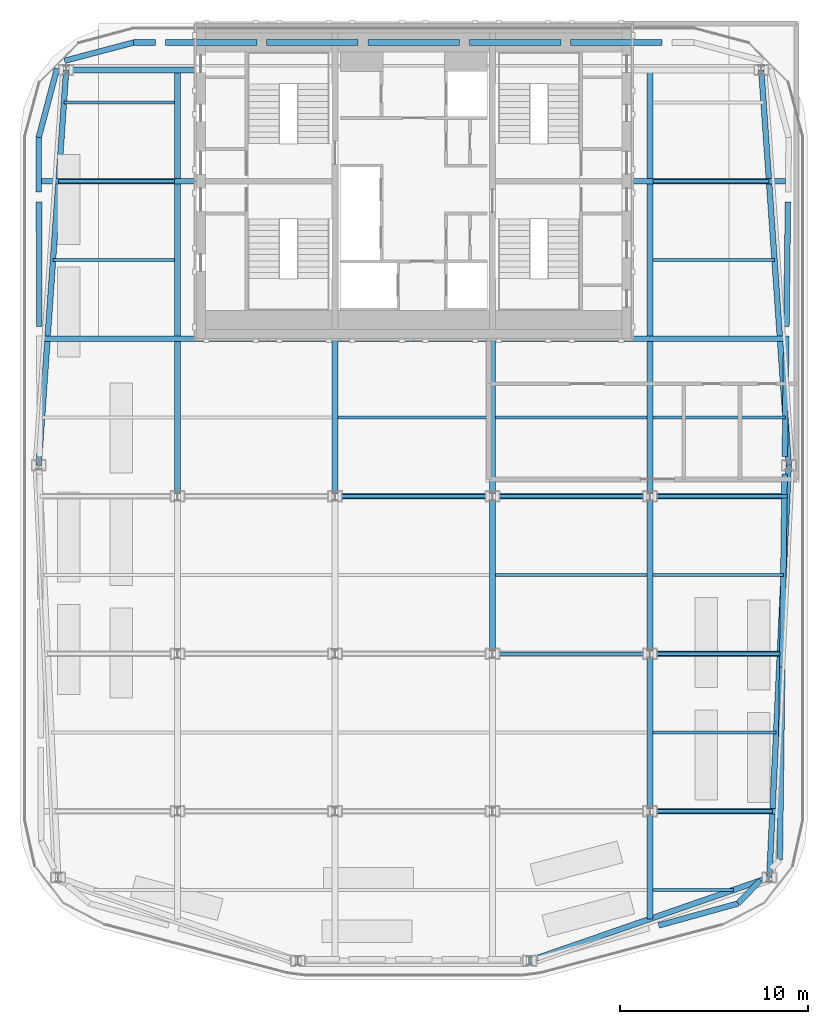
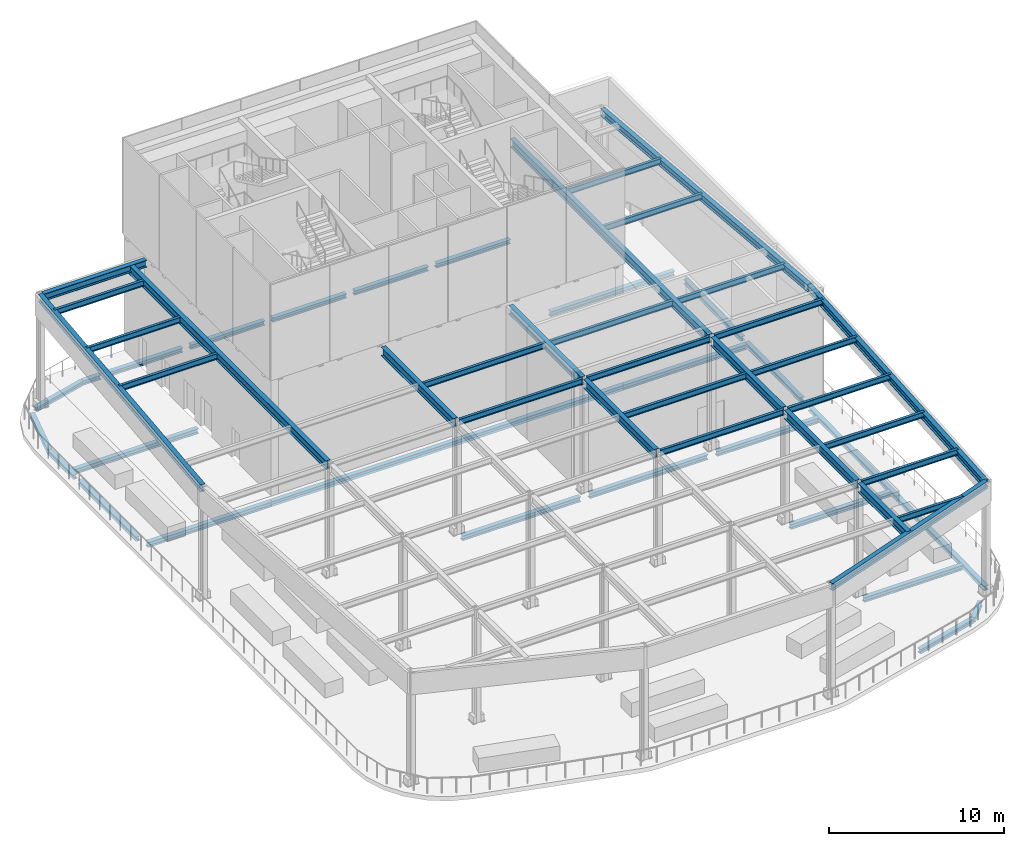
# One storey, part 4 of 14: 57 beams.
"""IFC4 building model written with IfcOpenShell, lengths in metres."""

import ifcopenshell
import ifcopenshell.guid

model = None  # the IFC model being written
_history = None  # IfcOwnerHistory: only IFC2X3 demands one
_inside = {}  # id of a spatial element -> (the spatial element, [elements in it])
_under = {}  # id of a project, library or spatial element -> (it, [spatial elements below it])
_declared = {}  # id of a project -> (the project, [libraries it declares])
_typed = {}  # id of a type object -> (the type object, [elements of that type])
_made_of = {}  # id of a material, layer set ... -> (it, [elements and type objects made of it])


def new_model(schema):
    """Start an empty IFC model of exactly this schema.

    Asked for "IFC4X3", IfcOpenShell would pick the latest addendum, in which some entities
    have other attributes; the version numbers below select the first issue.
    IFC2X3 requires an IfcOwnerHistory on every rooted entity: one is made here for all.
    """
    global model, _history
    if schema == "IFC4X3":
        model = ifcopenshell.file(schema_version=(4, 3, 0, 0))
    else:
        model = ifcopenshell.file(schema=schema)
    _inside.clear()
    _under.clear()
    _declared.clear()
    _typed.clear()
    _made_of.clear()
    _history = None
    if model.schema == "IFC2X3":
        org = make("IfcOrganization", Name="unknown")
        user = make(
            "IfcPersonAndOrganization",
            ThePerson=make("IfcPerson", FamilyName="unknown"),
            TheOrganization=org,
        )
        app = make(
            "IfcApplication",
            ApplicationDeveloper=org,
            Version="unknown",
            ApplicationFullName="unknown",
            ApplicationIdentifier="unknown",
        )
        _history = make(
            "IfcOwnerHistory",
            OwningUser=user,
            OwningApplication=app,
            ChangeAction="ADDED",
            CreationDate=0,
        )
    return model


def make(cls, **values):
    """One entity of the class cls with the attributes given. An attribute that is None is left unset."""
    return model.create_entity(
        cls, **{name: value for name, value in values.items() if value is not None}
    )


def rooted(cls, **values):
    """An entity with a GlobalId (a new one), such as an element, a storey or a relation."""
    return make(cls, GlobalId=ifcopenshell.guid.new(), OwnerHistory=_history, **values)


def si_unit(unit_type, name, prefix=None):
    """IfcSIUnit, for example si_unit("LENGTHUNIT", "METRE", prefix="MILLI")."""
    return make("IfcSIUnit", UnitType=unit_type, Prefix=prefix, Name=name)


def assignment(units):
    """IfcUnitAssignment: the units of a project."""
    return None if units is None else make("IfcUnitAssignment", Units=units)


def point(xyz):
    """IfcCartesianPoint."""
    return None if xyz is None else make("IfcCartesianPoint", Coordinates=xyz)


def direction(xyz):
    """IfcDirection."""
    return None if xyz is None else make("IfcDirection", DirectionRatios=xyz)


def frame(location, z_axis=None, x_axis=None):
    """IfcAxis2Placement3D, a coordinate frame: its origin and axes. An axis left out is left unset."""
    return make(
        "IfcAxis2Placement3D",
        Location=point(location),
        Axis=direction(z_axis),
        RefDirection=direction(x_axis),
    )


def frame_2d(location, x_axis=None):
    """IfcAxis2Placement2D, a coordinate frame in the plane: its origin and x axis."""
    return make(
        "IfcAxis2Placement2D", Location=point(location), RefDirection=direction(x_axis)
    )


def origin():
    """The frame at (0, 0, 0) with its axes left unset."""
    return frame((0.0, 0.0, 0.0))


def origin_2d():
    """The frame at (0, 0) in the plane with its x axis left unset."""
    return frame_2d((0.0, 0.0))


def place(relative_to, where):
    """IfcLocalPlacement: puts the frame where relative to a parent placement (None: the world)."""
    return make(
        "IfcLocalPlacement", PlacementRelTo=relative_to, RelativePlacement=where
    )


def context(
    kind, dimensions, precision=None, world=None, true_north=None, identifier=None
):
    """IfcGeometricRepresentationContext, for example the 3D "Model" context."""
    return make(
        "IfcGeometricRepresentationContext",
        ContextIdentifier=identifier,
        ContextType=kind,
        CoordinateSpaceDimension=dimensions,
        Precision=precision,
        WorldCoordinateSystem=world,
        TrueNorth=true_north,
    )


def subcontext(parent, identifier, kind, view, scale=None):
    """IfcGeometricRepresentationSubContext, for example "Body" below "Model"."""
    return make(
        "IfcGeometricRepresentationSubContext",
        ContextIdentifier=identifier,
        ContextType=kind,
        ParentContext=parent,
        TargetScale=scale,
        TargetView=view,
    )


def project(units=None, contexts=None):
    """IfcProject with its units and contexts."""
    return rooted(
        "IfcProject",
        Name="project",
        RepresentationContexts=contexts,
        UnitsInContext=assignment(units),
    )


def spatial(cls, under=None, at=None, **own):
    """A site, building, storey or space (cls), placed at a placement, below another one or the project."""
    s = rooted(cls, ObjectPlacement=at, **own)
    if under is not None:
        _under.setdefault(under.id(), (under, []))[1].append(s)
    return s


def profile(cls, at=None, kind="AREA", **sizes):
    """A parametric profile (cls). Its sizes go by their IFC names, for example OverallWidth=200.0."""
    return make(cls, ProfileType=kind, Position=at, **sizes)


def i_section(**sizes):
    """IfcIShapeProfileDef."""
    return profile("IfcIShapeProfileDef", **sizes)


def extrude(swept, where, along, depth):
    """IfcExtrudedAreaSolid: the profile swept, set in the frame where, extruded along a direction by depth."""
    return make(
        "IfcExtrudedAreaSolid",
        SweptArea=swept,
        Position=where,
        ExtrudedDirection=direction(along),
        Depth=depth,
    )


def shape(context_of_items, identifier, shape_type, items):
    """IfcShapeRepresentation: the items that make up one representation, for example the "Body"."""
    return make(
        "IfcShapeRepresentation",
        ContextOfItems=context_of_items,
        RepresentationIdentifier=identifier,
        RepresentationType=shape_type,
        Items=items,
    )


def material(Name=None, Category=None):
    """IfcMaterial."""
    return make("IfcMaterial", Name=Name, Category=Category)


def material_profile(
    of_material, cross_section, Name=None, Category=None, Priority=None
):
    """IfcMaterialProfile: a cross section and its material."""
    return make(
        "IfcMaterialProfile",
        Name=Name,
        Material=of_material,
        Profile=cross_section,
        Priority=Priority,
        Category=Category,
    )


def profile_set(profiles, Name=None, composite=None):
    """IfcMaterialProfileSet."""
    return make(
        "IfcMaterialProfileSet",
        Name=Name,
        MaterialProfiles=profiles,
        CompositeProfile=composite,
    )


def made_of(thing, what):
    """Note that an element or type object is made of a material, layer set ...; save() writes the relation."""
    if what is not None:
        _made_of.setdefault(what.id(), (what, []))[1].append(thing)
    return thing


def type_object(cls, material=None, **own):
    """A type object (cls), such as IfcWallType, which elements share."""
    return made_of(rooted(cls, **own), material)


def element(
    cls,
    number,
    at=None,
    inside=None,
    cuts=None,
    type_object=None,
    material=None,
    context=None,
    identifier="Body",
    shape_type=None,
    held_by="IfcProductDefinitionShape",
    body=None,
    shapes=None,
    **own,
):
    """One element of the class cls, such as IfcWall. Its Tag is "e" and its number.

    at: its placement. inside: the storey or other place that contains it. cuts: it is an
    opening in that element (IfcRelVoidsElement). A single representation is given by context,
    identifier, shape_type and body (its items); several are given by shapes. held_by: the class
    of the entity that holds the representations. save() writes the other relations.
    """
    e = rooted(cls, Tag="e%d" % number, ObjectPlacement=at, **own)
    if body is not None:
        shapes = [shape(context, identifier, shape_type, body)]
    if shapes is not None:
        e.Representation = make(held_by, Representations=shapes)
    if inside is not None:
        _inside.setdefault(inside.id(), (inside, []))[1].append(e)
    if cuts is not None:
        rooted(
            "IfcRelVoidsElement", RelatingBuildingElement=cuts, RelatedOpeningElement=e
        )
    if type_object is not None:
        _typed.setdefault(type_object.id(), (type_object, []))[1].append(e)
    return made_of(e, material)


def aggregate(whole, parts):
    """IfcRelAggregates: a whole, such as a stair, and the parts it consists of."""
    return rooted("IfcRelAggregates", RelatingObject=whole, RelatedObjects=parts)


def save(model, path):
    """Write the relations noted so far, then the file.

    IfcRelAggregates (storeys below a building ...), IfcRelContainedInSpatialStructure (elements
    in a storey), IfcRelDefinesByType, IfcRelAssociatesMaterial and IfcRelDeclares: one each for
    every whole, place, type object, material and project.
    """
    for whole, parts in _under.values():
        aggregate(whole, parts)
    for where, things in _inside.values():
        rooted(
            "IfcRelContainedInSpatialStructure",
            RelatedElements=things,
            RelatingStructure=where,
        )
    for kind, things in _typed.values():
        rooted("IfcRelDefinesByType", RelatedObjects=things, RelatingType=kind)
    for what, things in _made_of.values():
        rooted("IfcRelAssociatesMaterial", RelatedObjects=things, RelatingMaterial=what)
    for by, libraries in _declared.values():
        rooted("IfcRelDeclares", RelatingContext=by, RelatedDefinitions=libraries)
    model.write(path)


model = new_model("IFC4")

# Units and contexts
model_context = context("Model", 3, precision=1e-05, world=origin(), true_north=direction((0.0, 1.0)))
body_context = subcontext(model_context, "Body", "Model", "MODEL_VIEW")
ifc_project = project(units=[si_unit("LENGTHUNIT", "METRE"), si_unit("AREAUNIT", "SQUARE_METRE"), si_unit("VOLUMEUNIT", "CUBIC_METRE"), si_unit("PLANEANGLEUNIT", "RADIAN"), si_unit("MASSUNIT", "GRAM", prefix="KILO")], contexts=[model_context])

# Site, building, storey
site_placement = place(None, origin())
site = spatial("IfcSite", under=ifc_project, at=site_placement, CompositionType="ELEMENT")
building_placement = place(site_placement, origin())
building = spatial("IfcBuilding", under=site, at=building_placement, Name="Marenta Gate Hotel Tower", CompositionType="ELEMENT")
storey_placement = place(building_placement, frame((0.0, 0.0, 295.699951171875)))
storey = spatial("IfcBuildingStorey", under=building, at=storey_placement, Name="L67", CompositionType="ELEMENT", Elevation=295.699951171875)

# Beams
ifc_material_1 = material(Name="Steel S355J2W", Category="steel")
ifc_material_profile_1 = material_profile(ifc_material_1, i_section(OverallWidth=0.300048828125, OverallDepth=0.5, WebThickness=0.014404296875, FlangeThickness=0.028076171875, FilletRadius=0.027099609375, at=origin_2d()), Name="HEB 500")
ifc_profile_set_1 = profile_set([ifc_material_profile_1], Name="Steel S355J2W")
beam_type_1 = type_object("IfcBeamType", Name="Canopy edge beam HEB 500", PredefinedType="BEAM", material=ifc_profile_set_1)
beam_1_placement = place(storey_placement, frame((6.166259765625, -33.1748046875, 7.60009765625), z_axis=(0.9447052298, 0.327920766021, 0.0), x_axis=(-0.327920766021, 0.9447052298, 0.0)))
element("IfcBeam", 1, at=beam_1_placement, inside=storey, type_object=beam_type_1, Name="CB-HEB500 L67-CAN-B2", PredefinedType="BEAM", context=body_context, shape_type="SweptSolid", body=[
    extrude(i_section(OverallWidth=0.300048828125, OverallDepth=0.5, WebThickness=0.014404296875, FlangeThickness=0.028076171875, FilletRadius=0.027099609375, at=origin_2d()), origin(), (0.0, 0.0, 1.0), 13.545654296875),
])
beam_2_placement = place(storey_placement, frame((18.962890625, -28.73291015625, 7.570068359375), z_axis=(0.047125567606, 0.998888973249, 0.0), x_axis=(-0.998888973249, 0.047125567606, 0.0)))
element("IfcBeam", 2, at=beam_2_placement, inside=storey, type_object=beam_type_1, Name="CB-HEB500 L67-CAN-B3", PredefinedType="BEAM", context=body_context, shape_type="SweptSolid", body=[
    extrude(i_section(OverallWidth=0.300048828125, OverallDepth=0.5, WebThickness=0.014404296875, FlangeThickness=0.028076171875, FilletRadius=0.027099609375, at=origin_2d()), origin(), (0.0, 0.0, 1.0), 22.00732421875),
])
beam_3_placement = place(storey_placement, frame((20.0, -6.75, 7.570068359375), z_axis=(-0.069293245136, 0.997596334285, 0.0), x_axis=(-0.997596334285, -0.069293245136, 0.0)))
element("IfcBeam", 3, at=beam_3_placement, inside=storey, type_object=beam_type_1, Name="CB-HEB500 L67-CAN-B4", PredefinedType="BEAM", context=body_context, shape_type="SweptSolid", body=[
    extrude(i_section(OverallWidth=0.300048828125, OverallDepth=0.5, WebThickness=0.014404296875, FlangeThickness=0.028076171875, FilletRadius=0.027099609375, at=origin_2d()), origin(), (0.0, 0.0, 1.0), 21.13623046875),
])
beam_4_placement = place(storey_placement, frame((-11.60009765625, 14.33544921875, 7.60009765625), z_axis=(-1.0, 0.0, 0.0), x_axis=(0.0, -1.0, 0.0)))
element("IfcBeam", 4, at=beam_4_placement, inside=storey, type_object=beam_type_1, Name="CB-HEB500 L67-CAN-B6", PredefinedType="BEAM", context=body_context, shape_type="SweptSolid", body=[
    extrude(i_section(OverallWidth=0.300048828125, OverallDepth=0.5, WebThickness=0.014404296875, FlangeThickness=0.028076171875, FilletRadius=0.027099609375, at=origin_2d()), origin(), (0.0, 0.0, 1.0), 6.785400390625),
])
beam_5_placement = place(storey_placement, frame((-18.535400390625, 14.33544921875, 7.60009765625), z_axis=(-0.069293245136, -0.997596334285, 0.0), x_axis=(0.997596334285, -0.069293245136, 0.0)))
element("IfcBeam", 5, at=beam_5_placement, inside=storey, type_object=beam_type_1, Name="CB-HEB500 L67-CAN-B7", PredefinedType="BEAM", context=body_context, shape_type="SweptSolid", body=[
    extrude(i_section(OverallWidth=0.300048828125, OverallDepth=0.5, WebThickness=0.014404296875, FlangeThickness=0.028076171875, FilletRadius=0.027099609375, at=origin_2d()), origin(), (0.0, 0.0, 1.0), 21.13623046875),
])
ifc_material_2 = material(Name="Steel S355J2W", Category="steel")
ifc_material_profile_2 = material_profile(ifc_material_2, i_section(OverallWidth=0.300048828125, OverallDepth=0.60009765625, WebThickness=0.015380859375, FlangeThickness=0.030029296875, FilletRadius=0.027099609375, at=origin_2d()), Name="HEB 600")
ifc_profile_set_2 = profile_set([ifc_material_profile_2], Name="Steel S355J2W")
beam_type_2 = type_object("IfcBeamType", Name="Canopy primary beam HEB 600", PredefinedType="BEAM", material=ifc_profile_set_2)
beam_6_placement = place(storey_placement, frame((-12.60009765625, -8.25, 7.550048828125), z_axis=(0.0, 1.0, 0.0), x_axis=(-1.0, 0.0, 0.0)))
element("IfcBeam", 6, at=beam_6_placement, inside=storey, type_object=beam_type_2, Name="CB-HEB600 L67-CAN-B13", PredefinedType="BEAM", context=body_context, shape_type="SweptSolid", body=[
    extrude(i_section(OverallWidth=0.300048828125, OverallDepth=0.60009765625, WebThickness=0.015380859375, FlangeThickness=0.030029296875, FilletRadius=0.027099609375, at=origin_2d()), origin(), (0.0, 0.0, 1.0), 22.58544921875),
])
beam_7_placement = place(storey_placement, frame((-4.199951171875, -8.25, 7.550048828125), z_axis=(0.0, 1.0, 0.0), x_axis=(-1.0, 0.0, 0.0)))
element("IfcBeam", 7, at=beam_7_placement, inside=storey, type_object=beam_type_2, Name="CB-HEB600 L67-CAN-B17", PredefinedType="BEAM", context=body_context, shape_type="SweptSolid", body=[
    extrude(i_section(OverallWidth=0.300048828125, OverallDepth=0.60009765625, WebThickness=0.015380859375, FlangeThickness=0.030029296875, FilletRadius=0.027099609375, at=origin_2d()), origin(), (0.0, 0.0, 1.0), 8.25),
])
beam_8_placement = place(storey_placement, frame((4.199951171875, -16.64990234375, 7.550048828125), z_axis=(0.0, 1.0, 0.0), x_axis=(-1.0, 0.0, 0.0)))
element("IfcBeam", 8, at=beam_8_placement, inside=storey, type_object=beam_type_2, Name="CB-HEB600 L67-CAN-B20", PredefinedType="BEAM", context=body_context, shape_type="SweptSolid", body=[
    extrude(i_section(OverallWidth=0.300048828125, OverallDepth=0.60009765625, WebThickness=0.015380859375, FlangeThickness=0.030029296875, FilletRadius=0.027099609375, at=origin_2d()), origin(), (0.0, 0.0, 1.0), 8.099853515625),
])
beam_9_placement = place(storey_placement, frame((4.199951171875, -8.25, 7.52001953125), z_axis=(0.0, 1.0, 0.0), x_axis=(-1.0, 0.0, 0.0)))
element("IfcBeam", 9, at=beam_9_placement, inside=storey, type_object=beam_type_2, Name="CB-HEB600 L67-CAN-B21", PredefinedType="BEAM", context=body_context, shape_type="SweptSolid", body=[
    extrude(i_section(OverallWidth=0.300048828125, OverallDepth=0.60009765625, WebThickness=0.015380859375, FlangeThickness=0.030029296875, FilletRadius=0.027099609375, at=origin_2d()), origin(), (0.0, 0.0, 1.0), 8.25),
])
beam_10_placement = place(storey_placement, frame((12.60009765625, -30.941650390625, 7.550048828125), z_axis=(0.0, 1.0, 0.0), x_axis=(-1.0, 0.0, 0.0)))
element("IfcBeam", 10, at=beam_10_placement, inside=storey, type_object=beam_type_2, Name="CB-HEB600 L67-CAN-B22", PredefinedType="BEAM", context=body_context, shape_type="SweptSolid", body=[
    extrude(i_section(OverallWidth=0.300048828125, OverallDepth=0.60009765625, WebThickness=0.015380859375, FlangeThickness=0.030029296875, FilletRadius=0.027099609375, at=origin_2d()), origin(), (0.0, 0.0, 1.0), 5.591552734375),
])
beam_11_placement = place(storey_placement, frame((12.60009765625, -25.050048828125, 7.550048828125), z_axis=(0.0, 1.0, 0.0), x_axis=(-1.0, 0.0, 0.0)))
element("IfcBeam", 11, at=beam_11_placement, inside=storey, type_object=beam_type_2, Name="CB-HEB600 L67-CAN-B23", PredefinedType="BEAM", context=body_context, shape_type="SweptSolid", body=[
    extrude(i_section(OverallWidth=0.300048828125, OverallDepth=0.60009765625, WebThickness=0.015380859375, FlangeThickness=0.030029296875, FilletRadius=0.027099609375, at=origin_2d()), origin(), (0.0, 0.0, 1.0), 8.10009765625),
])
beam_12_placement = place(storey_placement, frame((12.60009765625, -16.64990234375, 7.550048828125), z_axis=(0.0, 1.0, 0.0), x_axis=(-1.0, 0.0, 0.0)))
element("IfcBeam", 12, at=beam_12_placement, inside=storey, type_object=beam_type_2, Name="CB-HEB600 L67-CAN-B24", PredefinedType="BEAM", context=body_context, shape_type="SweptSolid", body=[
    extrude(i_section(OverallWidth=0.300048828125, OverallDepth=0.60009765625, WebThickness=0.015380859375, FlangeThickness=0.030029296875, FilletRadius=0.027099609375, at=origin_2d()), origin(), (0.0, 0.0, 1.0), 8.099853515625),
])
beam_13_placement = place(storey_placement, frame((12.60009765625, -8.25, 7.52001953125), z_axis=(0.0, 1.0, 0.0), x_axis=(-1.0, 0.0, 0.0)))
element("IfcBeam", 13, at=beam_13_placement, inside=storey, type_object=beam_type_2, Name="CB-HEB600 L67-CAN-B25", PredefinedType="BEAM", context=body_context, shape_type="SweptSolid", body=[
    extrude(i_section(OverallWidth=0.300048828125, OverallDepth=0.60009765625, WebThickness=0.015380859375, FlangeThickness=0.030029296875, FilletRadius=0.027099609375, at=origin_2d()), origin(), (0.0, 0.0, 1.0), 22.58544921875),
])
ifc_material_3 = material(Name="Steel S355J2W", Category="steel")
ifc_material_profile_3 = material_profile(ifc_material_3, i_section(OverallWidth=0.179931640625, OverallDepth=0.39990234375, WebThickness=0.008544921875, FlangeThickness=0.013427734375, FilletRadius=0.02099609375, at=origin_2d()), Name="IPE 400")
ifc_profile_set_3 = profile_set([ifc_material_profile_3], Name="Steel S355J2W")
beam_type_3 = type_object("IfcBeamType", Name="Canopy secondary beam IPE 400", PredefinedType="BEAM", material=ifc_profile_set_3)
beam_14_placement = place(storey_placement, frame((-4.050048828125, -4.199951171875, 7.6201171875), z_axis=(1.0, 0.0, 0.0), x_axis=(0.0, 1.0, 0.0)))
element("IfcBeam", 14, at=beam_14_placement, inside=storey, type_object=beam_type_3, Name="CB-IPE400 L67-CAN-B28", PredefinedType="BEAM", context=body_context, shape_type="SweptSolid", body=[
    extrude(i_section(OverallWidth=0.179931640625, OverallDepth=0.39990234375, WebThickness=0.008544921875, FlangeThickness=0.013427734375, FilletRadius=0.02099609375, at=origin_2d()), origin(), (0.0, 0.0, 1.0), 8.10009765625),
])
beam_15_placement = place(storey_placement, frame((4.35009765625, -4.199951171875, 7.6201171875), z_axis=(1.0, 0.0, 0.0), x_axis=(0.0, 1.0, 0.0)))
element("IfcBeam", 15, at=beam_15_placement, inside=storey, type_object=beam_type_3, Name="CB-IPE400 L67-CAN-B29", PredefinedType="BEAM", context=body_context, shape_type="SweptSolid", body=[
    extrude(i_section(OverallWidth=0.179931640625, OverallDepth=0.39990234375, WebThickness=0.008544921875, FlangeThickness=0.013427734375, FilletRadius=0.02099609375, at=origin_2d()), origin(), (0.0, 0.0, 1.0), 8.099853515625),
])
beam_16_placement = place(storey_placement, frame((12.75, -4.199951171875, 7.6201171875), z_axis=(1.0, 0.0, 0.0), x_axis=(0.0, 1.0, 0.0)))
element("IfcBeam", 16, at=beam_16_placement, inside=storey, type_object=beam_type_3, Name="CB-IPE400 L67-CAN-B30", PredefinedType="BEAM", context=body_context, shape_type="SweptSolid", body=[
    extrude(i_section(OverallWidth=0.179931640625, OverallDepth=0.39990234375, WebThickness=0.008544921875, FlangeThickness=0.013427734375, FilletRadius=0.02099609375, at=origin_2d()), origin(), (0.0, 0.0, 1.0), 7.072998046875),
])
beam_17_placement = place(storey_placement, frame((-4.050048828125, -8.39990234375, 7.650146484375), z_axis=(1.0, 0.0, 0.0), x_axis=(0.0, 1.0, 0.0)))
element("IfcBeam", 17, at=beam_17_placement, inside=storey, type_object=beam_type_3, Name="CB-IPE400 L67-CAN-B33", PredefinedType="BEAM", context=body_context, shape_type="SweptSolid", body=[
    extrude(i_section(OverallWidth=0.179931640625, OverallDepth=0.39990234375, WebThickness=0.008544921875, FlangeThickness=0.013427734375, FilletRadius=0.02099609375, at=origin_2d()), origin(), (0.0, 0.0, 1.0), 8.10009765625),
])
beam_18_placement = place(storey_placement, frame((4.35009765625, -8.39990234375, 7.650146484375), z_axis=(1.0, 0.0, 0.0), x_axis=(0.0, 1.0, 0.0)))
element("IfcBeam", 18, at=beam_18_placement, inside=storey, type_object=beam_type_3, Name="CB-IPE400 L67-CAN-B34", PredefinedType="BEAM", context=body_context, shape_type="SweptSolid", body=[
    extrude(i_section(OverallWidth=0.179931640625, OverallDepth=0.39990234375, WebThickness=0.008544921875, FlangeThickness=0.013427734375, FilletRadius=0.02099609375, at=origin_2d()), origin(), (0.0, 0.0, 1.0), 8.099853515625),
])
beam_19_placement = place(storey_placement, frame((12.75, -8.39990234375, 7.650146484375), z_axis=(1.0, 0.0, 0.0), x_axis=(0.0, 1.0, 0.0)))
element("IfcBeam", 19, at=beam_19_placement, inside=storey, type_object=beam_type_3, Name="CB-IPE400 L67-CAN-B35", PredefinedType="BEAM", context=body_context, shape_type="SweptSolid", body=[
    extrude(i_section(OverallWidth=0.179931640625, OverallDepth=0.39990234375, WebThickness=0.008544921875, FlangeThickness=0.013427734375, FilletRadius=0.02099609375, at=origin_2d()), origin(), (0.0, 0.0, 1.0), 7.172119140625),
])
beam_20_placement = place(storey_placement, frame((4.35009765625, -12.60009765625, 7.650146484375), z_axis=(1.0, 0.0, 0.0), x_axis=(0.0, 1.0, 0.0)))
element("IfcBeam", 20, at=beam_20_placement, inside=storey, type_object=beam_type_3, Name="CB-IPE400 L67-CAN-B39", PredefinedType="BEAM", context=body_context, shape_type="SweptSolid", body=[
    extrude(i_section(OverallWidth=0.179931640625, OverallDepth=0.39990234375, WebThickness=0.008544921875, FlangeThickness=0.013427734375, FilletRadius=0.02099609375, at=origin_2d()), origin(), (0.0, 0.0, 1.0), 8.099853515625),
])
beam_21_placement = place(storey_placement, frame((12.75, -12.60009765625, 7.650146484375), z_axis=(1.0, 0.0, 0.0), x_axis=(0.0, 1.0, 0.0)))
element("IfcBeam", 21, at=beam_21_placement, inside=storey, type_object=beam_type_3, Name="CB-IPE400 L67-CAN-B40", PredefinedType="BEAM", context=body_context, shape_type="SweptSolid", body=[
    extrude(i_section(OverallWidth=0.179931640625, OverallDepth=0.39990234375, WebThickness=0.008544921875, FlangeThickness=0.013427734375, FilletRadius=0.02099609375, at=origin_2d()), origin(), (0.0, 0.0, 1.0), 6.97412109375),
])
beam_22_placement = place(storey_placement, frame((4.35009765625, -16.800048828125, 7.650146484375), z_axis=(1.0, 0.0, 0.0), x_axis=(0.0, 1.0, 0.0)))
element("IfcBeam", 22, at=beam_22_placement, inside=storey, type_object=beam_type_3, Name="CB-IPE400 L67-CAN-B44", PredefinedType="BEAM", context=body_context, shape_type="SweptSolid", body=[
    extrude(i_section(OverallWidth=0.179931640625, OverallDepth=0.39990234375, WebThickness=0.008544921875, FlangeThickness=0.013427734375, FilletRadius=0.02099609375, at=origin_2d()), origin(), (0.0, 0.0, 1.0), 8.099853515625),
])
beam_23_placement = place(storey_placement, frame((12.75, -16.800048828125, 7.650146484375), z_axis=(1.0, 0.0, 0.0), x_axis=(0.0, 1.0, 0.0)))
element("IfcBeam", 23, at=beam_23_placement, inside=storey, type_object=beam_type_3, Name="CB-IPE400 L67-CAN-B45", PredefinedType="BEAM", context=body_context, shape_type="SweptSolid", body=[
    extrude(i_section(OverallWidth=0.179931640625, OverallDepth=0.39990234375, WebThickness=0.008544921875, FlangeThickness=0.013427734375, FilletRadius=0.02099609375, at=origin_2d()), origin(), (0.0, 0.0, 1.0), 6.77587890625),
])
beam_24_placement = place(storey_placement, frame((12.75, -21.0, 7.650146484375), z_axis=(1.0, 0.0, 0.0), x_axis=(0.0, 1.0, 0.0)))
element("IfcBeam", 24, at=beam_24_placement, inside=storey, type_object=beam_type_3, Name="CB-IPE400 L67-CAN-B50", PredefinedType="BEAM", context=body_context, shape_type="SweptSolid", body=[
    extrude(i_section(OverallWidth=0.179931640625, OverallDepth=0.39990234375, WebThickness=0.008544921875, FlangeThickness=0.013427734375, FilletRadius=0.02099609375, at=origin_2d()), origin(), (0.0, 0.0, 1.0), 6.577880859375),
])
beam_25_placement = place(storey_placement, frame((12.75, -25.199951171875, 7.650146484375), z_axis=(1.0, 0.0, 0.0), x_axis=(0.0, 1.0, 0.0)))
element("IfcBeam", 25, at=beam_25_placement, inside=storey, type_object=beam_type_3, Name="CB-IPE400 L67-CAN-B55", PredefinedType="BEAM", context=body_context, shape_type="SweptSolid", body=[
    extrude(i_section(OverallWidth=0.179931640625, OverallDepth=0.39990234375, WebThickness=0.008544921875, FlangeThickness=0.013427734375, FilletRadius=0.02099609375, at=origin_2d()), origin(), (0.0, 0.0, 1.0), 6.379638671875),
])
beam_26_placement = place(storey_placement, frame((12.75, -29.39990234375, 7.650146484375), z_axis=(1.0, 0.0, 0.0), x_axis=(0.0, 1.0, 0.0)))
element("IfcBeam", 26, at=beam_26_placement, inside=storey, type_object=beam_type_3, Name="CB-IPE400 L67-CAN-B60", PredefinedType="BEAM", context=body_context, shape_type="SweptSolid", body=[
    extrude(i_section(OverallWidth=0.179931640625, OverallDepth=0.39990234375, WebThickness=0.008544921875, FlangeThickness=0.013427734375, FilletRadius=0.02099609375, at=origin_2d()), origin(), (0.0, 0.0, 1.0), 4.29150390625),
])
for number, where, z_axis, x_axis, name in (
    (27, (-19.239501953125, 4.199951171875, 7.650146484375), (1.0, 0.0, 0.0), (0.0, 1.0, 0.0), "CB-IPE400 L67-CAN-B61"),
    (28, (12.75, 4.199951171875, 7.6201171875), (1.0, 0.0, 0.0), (0.0, 1.0, 0.0), "CB-IPE400 L67-CAN-B62"),
):
    element("IfcBeam", number, at=place(storey_placement, frame(where, z_axis=z_axis, x_axis=x_axis)), inside=storey, type_object=beam_type_3, Name=name, PredefinedType="BEAM", context=body_context, shape_type="SweptSolid", body=[
        extrude(i_section(OverallWidth=0.179931640625, OverallDepth=0.39990234375, WebThickness=0.008544921875, FlangeThickness=0.013427734375, FilletRadius=0.02099609375, at=origin_2d()), origin(), (0.0, 0.0, 1.0), 6.489501953125),
    ])
for number, where, z_axis, x_axis, name in (
    (29, (-18.94775390625, 8.39990234375, 7.650146484375), (1.0, 0.0, 0.0), (0.0, 1.0, 0.0), "CB-IPE400 L67-CAN-B63"),
    (30, (12.75, 8.39990234375, 7.6201171875), (1.0, 0.0, 0.0), (0.0, 1.0, 0.0), "CB-IPE400 L67-CAN-B64"),
):
    element("IfcBeam", number, at=place(storey_placement, frame(where, z_axis=z_axis, x_axis=x_axis)), inside=storey, type_object=beam_type_3, Name=name, PredefinedType="BEAM", context=body_context, shape_type="SweptSolid", body=[
        extrude(i_section(OverallWidth=0.179931640625, OverallDepth=0.39990234375, WebThickness=0.008544921875, FlangeThickness=0.013427734375, FilletRadius=0.02099609375, at=origin_2d()), origin(), (0.0, 0.0, 1.0), 6.19775390625),
    ])
beam_27_placement = place(storey_placement, frame((-18.656005859375, 12.60009765625, 7.650146484375), z_axis=(1.0, 0.0, 0.0), x_axis=(0.0, 1.0, 0.0)))
element("IfcBeam", 31, at=beam_27_placement, inside=storey, type_object=beam_type_3, Name="CB-IPE400 L67-CAN-B65", PredefinedType="BEAM", context=body_context, shape_type="SweptSolid", body=[
    extrude(i_section(OverallWidth=0.179931640625, OverallDepth=0.39990234375, WebThickness=0.008544921875, FlangeThickness=0.013427734375, FilletRadius=0.02099609375, at=origin_2d()), origin(), (0.0, 0.0, 1.0), 5.906005859375),
])
ifc_material_4 = material(Name="Steel S355", Category="steel")
ifc_material_profile_4 = material_profile(ifc_material_4, i_section(OverallWidth=0.300048828125, OverallDepth=0.300048828125, WebThickness=0.010986328125, FlangeThickness=0.01904296875, FilletRadius=0.027099609375, at=origin_2d()), Name="HEB 300")
ifc_profile_set_4 = profile_set([ifc_material_profile_4], Name="Steel S355")
beam_type_4 = type_object("IfcBeamType", Name="Edge beam HEB 300", PredefinedType="SPANDREL", material=ifc_profile_set_4)
beam_28_placement = place(storey_placement, frame((-19.966552734375, 0.6630859375, -0.449951171875), z_axis=(-0.003312458824, 0.999994513793, 0.0), x_axis=(-0.999994513793, -0.003312458824, 0.0)))
element("IfcBeam", 32, at=beam_28_placement, inside=storey, type_object=beam_type_4, Name="L67-EB-9", PredefinedType="SPANDREL", context=body_context, shape_type="SweptSolid", body=[
    extrude(i_section(OverallWidth=0.300048828125, OverallDepth=0.300048828125, WebThickness=0.010986328125, FlangeThickness=0.01904296875, FilletRadius=0.027099609375, at=origin_2d()), origin(), (0.0, 0.0, 1.0), 6.63330078125),
])
beam_29_placement = place(storey_placement, frame((-19.990234375, 7.81640625, -0.449951171875), z_axis=(-0.003346701472, 0.999994399779, 0.0), x_axis=(-0.999994399779, -0.003346701472, 0.0)))
element("IfcBeam", 33, at=beam_29_placement, inside=storey, type_object=beam_type_4, Name="L67-EB-10", PredefinedType="SPANDREL", context=body_context, shape_type="SweptSolid", body=[
    extrude(i_section(OverallWidth=0.300048828125, OverallDepth=0.300048828125, WebThickness=0.010986328125, FlangeThickness=0.01904296875, FilletRadius=0.027099609375, at=origin_2d()), origin(), (0.0, 0.0, 1.0), 2.91796875),
])
beam_30_placement = place(storey_placement, frame((-20.0, 10.734375, -0.449951171875), z_axis=(0.25562150813, 0.96677693631, 0.0), x_axis=(-0.96677693631, 0.25562150813, 0.0)))
element("IfcBeam", 34, at=beam_30_placement, inside=storey, type_object=beam_type_4, Name="L67-EB-11", PredefinedType="SPANDREL", context=body_context, shape_type="SweptSolid", body=[
    extrude(i_section(OverallWidth=0.300048828125, OverallDepth=0.300048828125, WebThickness=0.010986328125, FlangeThickness=0.01904296875, FilletRadius=0.027099609375, at=origin_2d()), origin(), (0.0, 0.0, 1.0), 3.812744140625),
])
beam_31_placement = place(storey_placement, frame((-18.620361328125, 14.8251953125, -0.449951171875), z_axis=(0.966756923821, 0.25569718466, 0.0), x_axis=(-0.25569718466, 0.966756923821, 0.0)))
element("IfcBeam", 35, at=beam_31_placement, inside=storey, type_object=beam_type_4, Name="L67-EB-12", PredefinedType="SPANDREL", context=body_context, shape_type="SweptSolid", body=[
    extrude(i_section(OverallWidth=0.300048828125, OverallDepth=0.300048828125, WebThickness=0.010986328125, FlangeThickness=0.01904296875, FilletRadius=0.027099609375, at=origin_2d()), origin(), (0.0, 0.0, 1.0), 3.8125),
])
beam_32_placement = place(storey_placement, frame((-14.9345703125, 15.800048828125, -0.449951171875), z_axis=(1.0, 0.0, 0.0), x_axis=(0.0, 1.0, 0.0)))
element("IfcBeam", 36, at=beam_32_placement, inside=storey, type_object=beam_type_4, Name="L67-EB-13", PredefinedType="SPANDREL", context=body_context, shape_type="SweptSolid", body=[
    extrude(i_section(OverallWidth=0.300048828125, OverallDepth=0.300048828125, WebThickness=0.010986328125, FlangeThickness=0.01904296875, FilletRadius=0.027099609375, at=origin_2d()), origin(), (0.0, 0.0, 1.0), 1.167724609375),
])
beam_33_placement = place(storey_placement, frame((-13.246826171875, 15.800048828125, -0.449951171875), z_axis=(1.0, 0.0, 0.0), x_axis=(0.0, 1.0, 0.0)))
element("IfcBeam", 37, at=beam_33_placement, inside=storey, type_object=beam_type_4, Name="L67-EB-14", PredefinedType="SPANDREL", context=body_context, shape_type="SweptSolid", body=[
    extrude(i_section(OverallWidth=0.300048828125, OverallDepth=0.300048828125, WebThickness=0.010986328125, FlangeThickness=0.01904296875, FilletRadius=0.027099609375, at=origin_2d()), origin(), (0.0, 0.0, 1.0), 4.8828125),
])
beam_34_placement = place(storey_placement, frame((-7.843994140625, 15.800048828125, -0.449951171875), z_axis=(1.0, 0.0, 0.0), x_axis=(0.0, 1.0, 0.0)))
element("IfcBeam", 38, at=beam_34_placement, inside=storey, type_object=beam_type_4, Name="L67-EB-15", PredefinedType="SPANDREL", context=body_context, shape_type="SweptSolid", body=[
    extrude(i_section(OverallWidth=0.300048828125, OverallDepth=0.300048828125, WebThickness=0.010986328125, FlangeThickness=0.01904296875, FilletRadius=0.027099609375, at=origin_2d()), origin(), (0.0, 0.0, 1.0), 4.882568359375),
])
beam_35_placement = place(storey_placement, frame((-2.44140625, 15.800048828125, -0.449951171875), z_axis=(1.0, 0.0, 0.0), x_axis=(0.0, 1.0, 0.0)))
element("IfcBeam", 39, at=beam_35_placement, inside=storey, type_object=beam_type_4, Name="L67-EB-16", PredefinedType="SPANDREL", context=body_context, shape_type="SweptSolid", body=[
    extrude(i_section(OverallWidth=0.300048828125, OverallDepth=0.300048828125, WebThickness=0.010986328125, FlangeThickness=0.01904296875, FilletRadius=0.027099609375, at=origin_2d()), origin(), (0.0, 0.0, 1.0), 4.8828125),
])
beam_36_placement = place(storey_placement, frame((2.96142578125, 15.800048828125, -0.449951171875), z_axis=(1.0, 0.0, 0.0), x_axis=(0.0, 1.0, 0.0)))
element("IfcBeam", 40, at=beam_36_placement, inside=storey, type_object=beam_type_4, Name="L67-EB-17", PredefinedType="SPANDREL", context=body_context, shape_type="SweptSolid", body=[
    extrude(i_section(OverallWidth=0.300048828125, OverallDepth=0.300048828125, WebThickness=0.010986328125, FlangeThickness=0.01904296875, FilletRadius=0.027099609375, at=origin_2d()), origin(), (0.0, 0.0, 1.0), 4.882568359375),
])
beam_37_placement = place(storey_placement, frame((8.364013671875, 15.800048828125, -0.449951171875), z_axis=(1.0, 0.0, 0.0), x_axis=(0.0, 1.0, 0.0)))
element("IfcBeam", 41, at=beam_37_placement, inside=storey, type_object=beam_type_4, Name="L67-EB-18", PredefinedType="SPANDREL", context=body_context, shape_type="SweptSolid", body=[
    extrude(i_section(OverallWidth=0.300048828125, OverallDepth=0.300048828125, WebThickness=0.010986328125, FlangeThickness=0.01904296875, FilletRadius=0.027099609375, at=origin_2d()), origin(), (0.0, 0.0, 1.0), 4.8828125),
])
beam_38_placement = place(storey_placement, frame((19.95751953125, 7.29638671875, -0.449951171875), z_axis=(-0.012328838388, -0.999923996984, 0.0), x_axis=(0.999923996984, -0.012328838388, 0.0)))
element("IfcBeam", 42, at=beam_38_placement, inside=storey, type_object=beam_type_4, Name="L67-EB-23", PredefinedType="SPANDREL", context=body_context, shape_type="SweptSolid", body=[
    extrude(i_section(OverallWidth=0.300048828125, OverallDepth=0.300048828125, WebThickness=0.010986328125, FlangeThickness=0.01904296875, FilletRadius=0.027099609375, at=origin_2d()), origin(), (0.0, 0.0, 1.0), 6.6337890625),
])
beam_39_placement = place(storey_placement, frame((19.869384765625, 0.143310546875, -0.449951171875), z_axis=(-0.012370500371, -0.999923482433, 0.0), x_axis=(0.999923482433, -0.012370500371, 0.0)))
element("IfcBeam", 43, at=beam_39_placement, inside=storey, type_object=beam_type_4, Name="L67-EB-24", PredefinedType="SPANDREL", context=body_context, shape_type="SweptSolid", body=[
    extrude(i_section(OverallWidth=0.300048828125, OverallDepth=0.300048828125, WebThickness=0.010986328125, FlangeThickness=0.01904296875, FilletRadius=0.027099609375, at=origin_2d()), origin(), (0.0, 0.0, 1.0), 6.433837890625),
])
beam_40_placement = place(storey_placement, frame((19.778564453125, -7.2099609375, -0.449951171875), z_axis=(-0.012355276471, -0.999923670659, 0.0), x_axis=(0.999923670659, -0.012355276471, 0.0)))
element("IfcBeam", 44, at=beam_40_placement, inside=storey, type_object=beam_type_4, Name="L67-EB-25", PredefinedType="SPANDREL", context=body_context, shape_type="SweptSolid", body=[
    extrude(i_section(OverallWidth=0.300048828125, OverallDepth=0.300048828125, WebThickness=0.010986328125, FlangeThickness=0.01904296875, FilletRadius=0.027099609375, at=origin_2d()), origin(), (0.0, 0.0, 1.0), 10.294921875),
])
beam_41_placement = place(storey_placement, frame((19.6513671875, -17.504150390625, -0.449951171875), z_axis=(-0.01233127313, -0.999923966961, 0.0), x_axis=(0.999923966961, -0.01233127313, 0.0)))
element("IfcBeam", 45, at=beam_41_placement, inside=storey, type_object=beam_type_4, Name="L67-EB-26", PredefinedType="SPANDREL", context=body_context, shape_type="SweptSolid", body=[
    extrude(i_section(OverallWidth=0.300048828125, OverallDepth=0.300048828125, WebThickness=0.010986328125, FlangeThickness=0.01904296875, FilletRadius=0.027099609375, at=origin_2d()), origin(), (0.0, 0.0, 1.0), 10.295166015625),
])
beam_42_placement = place(storey_placement, frame((18.49072265625, -28.875244140625, -0.449951171875), z_axis=(-0.692584894431, -0.721336373689, 0.0), x_axis=(0.721336373689, -0.692584894431, 0.0)))
element("IfcBeam", 46, at=beam_42_placement, inside=storey, type_object=beam_type_4, Name="L67-EB-28", PredefinedType="SPANDREL", context=body_context, shape_type="SweptSolid", body=[
    extrude(i_section(OverallWidth=0.300048828125, OverallDepth=0.300048828125, WebThickness=0.010986328125, FlangeThickness=0.01904296875, FilletRadius=0.027099609375, at=origin_2d()), origin(), (0.0, 0.0, 1.0), 1.723876953125),
])
beam_43_placement = place(storey_placement, frame((17.296875, -30.11865234375, -0.449951171875), z_axis=(-0.963619865986, -0.267276549434, 0.0), x_axis=(0.267276549434, -0.963619865986, 0.0)))
element("IfcBeam", 47, at=beam_43_placement, inside=storey, type_object=beam_type_4, Name="L67-EB-29", PredefinedType="SPANDREL", context=body_context, shape_type="SweptSolid", body=[
    extrude(i_section(OverallWidth=0.300048828125, OverallDepth=0.300048828125, WebThickness=0.010986328125, FlangeThickness=0.01904296875, FilletRadius=0.027099609375, at=origin_2d()), origin(), (0.0, 0.0, 1.0), 4.38818359375),
])
ifc_material_5 = material(Name="Steel S355", Category="steel")
ifc_material_profile_5 = material_profile(ifc_material_5, i_section(OverallWidth=0.300048828125, OverallDepth=0.340087890625, WebThickness=0.011962890625, FlangeThickness=0.021484375, FilletRadius=0.027099609375, at=origin_2d()), Name="HEB 340")
ifc_profile_set_5 = profile_set([ifc_material_profile_5], Name="Steel S355")
beam_type_5 = type_object("IfcBeamType", Name="Girder HEB 340", PredefinedType="BEAM", material=ifc_profile_set_5)
beam_44_placement = place(storey_placement, frame((12.89990234375, -25.199951171875, -0.469970703125), z_axis=(1.0, 0.0, 0.0), x_axis=(0.0, 1.0, 0.0)))
element("IfcBeam", 48, at=beam_44_placement, inside=storey, type_object=beam_type_5, Name="L67-GD-5", PredefinedType="BEAM", context=body_context, shape_type="SweptSolid", body=[
    extrude(i_section(OverallWidth=0.300048828125, OverallDepth=0.340087890625, WebThickness=0.011962890625, FlangeThickness=0.021484375, FilletRadius=0.027099609375, at=origin_2d()), origin(), (0.0, 0.0, 1.0), 6.506591796875),
])
beam_45_placement = place(storey_placement, frame((12.89990234375, -16.800048828125, -0.469970703125), z_axis=(1.0, 0.0, 0.0), x_axis=(0.0, 1.0, 0.0)))
element("IfcBeam", 49, at=beam_45_placement, inside=storey, type_object=beam_type_5, Name="L67-GD-10", PredefinedType="BEAM", context=body_context, shape_type="SweptSolid", body=[
    extrude(i_section(OverallWidth=0.300048828125, OverallDepth=0.340087890625, WebThickness=0.011962890625, FlangeThickness=0.021484375, FilletRadius=0.027099609375, at=origin_2d()), origin(), (0.0, 0.0, 1.0), 6.6103515625),
])
beam_46_placement = place(storey_placement, frame((-3.89990234375, -8.39990234375, -0.469970703125), z_axis=(1.0, 0.0, 0.0), x_axis=(0.0, 1.0, 0.0)))
element("IfcBeam", 50, at=beam_46_placement, inside=storey, type_object=beam_type_5, Name="L67-GD-13", PredefinedType="BEAM", context=body_context, shape_type="SweptSolid", body=[
    extrude(i_section(OverallWidth=0.300048828125, OverallDepth=0.340087890625, WebThickness=0.011962890625, FlangeThickness=0.021484375, FilletRadius=0.027099609375, at=origin_2d()), origin(), (0.0, 0.0, 1.0), 7.7998046875),
])
beam_47_placement = place(storey_placement, frame((4.5, -8.39990234375, -0.469970703125), z_axis=(1.0, 0.0, 0.0), x_axis=(0.0, 1.0, 0.0)))
element("IfcBeam", 51, at=beam_47_placement, inside=storey, type_object=beam_type_5, Name="L67-GD-14", PredefinedType="BEAM", context=body_context, shape_type="SweptSolid", body=[
    extrude(i_section(OverallWidth=0.300048828125, OverallDepth=0.340087890625, WebThickness=0.011962890625, FlangeThickness=0.021484375, FilletRadius=0.027099609375, at=origin_2d()), origin(), (0.0, 0.0, 1.0), 7.800048828125),
])
beam_48_placement = place(storey_placement, frame((12.89990234375, -8.39990234375, -0.469970703125), z_axis=(1.0, 0.0, 0.0), x_axis=(0.0, 1.0, 0.0)))
element("IfcBeam", 52, at=beam_48_placement, inside=storey, type_object=beam_type_5, Name="L67-GD-15", PredefinedType="BEAM", context=body_context, shape_type="SweptSolid", body=[
    extrude(i_section(OverallWidth=0.300048828125, OverallDepth=0.340087890625, WebThickness=0.011962890625, FlangeThickness=0.021484375, FilletRadius=0.027099609375, at=origin_2d()), origin(), (0.0, 0.0, 1.0), 6.7138671875),
])
beam_49_placement = place(storey_placement, frame((-19.814208984375, 0.0, -0.469970703125), z_axis=(1.0, 0.0, 0.0), x_axis=(0.0, 1.0, 0.0)))
element("IfcBeam", 53, at=beam_49_placement, inside=storey, type_object=beam_type_5, Name="L67-GD-16", PredefinedType="BEAM", context=body_context, shape_type="SweptSolid", body=[
    extrude(i_section(OverallWidth=0.300048828125, OverallDepth=0.340087890625, WebThickness=0.011962890625, FlangeThickness=0.021484375, FilletRadius=0.027099609375, at=origin_2d()), origin(), (0.0, 0.0, 1.0), 8.214111328125),
])
beam_50_placement = place(storey_placement, frame((-11.60009765625, 0.0, -0.469970703125), z_axis=(1.0, 0.0, 0.0), x_axis=(0.0, 1.0, 0.0)))
element("IfcBeam", 54, at=beam_50_placement, inside=storey, type_object=beam_type_5, Name="L67-GD-17", PredefinedType="BEAM", context=body_context, shape_type="SweptSolid", body=[
    extrude(i_section(OverallWidth=0.300048828125, OverallDepth=0.340087890625, WebThickness=0.011962890625, FlangeThickness=0.021484375, FilletRadius=0.027099609375, at=origin_2d()), origin(), (0.0, 0.0, 1.0), 23.2001953125),
])
beam_51_placement = place(storey_placement, frame((11.60009765625, 0.0, -0.469970703125), z_axis=(1.0, 0.0, 0.0), x_axis=(0.0, 1.0, 0.0)))
element("IfcBeam", 55, at=beam_51_placement, inside=storey, type_object=beam_type_5, Name="L67-GD-18", PredefinedType="BEAM", context=body_context, shape_type="SweptSolid", body=[
    extrude(i_section(OverallWidth=0.300048828125, OverallDepth=0.340087890625, WebThickness=0.011962890625, FlangeThickness=0.021484375, FilletRadius=0.027099609375, at=origin_2d()), origin(), (0.0, 0.0, 1.0), 8.117431640625),
])
beam_52_placement = place(storey_placement, frame((-19.84228515625, 8.39990234375, -0.469970703125), z_axis=(1.0, 0.0, 0.0), x_axis=(0.0, 1.0, 0.0)))
element("IfcBeam", 56, at=beam_52_placement, inside=storey, type_object=beam_type_5, Name="L67-GD-19", PredefinedType="BEAM", context=body_context, shape_type="SweptSolid", body=[
    extrude(i_section(OverallWidth=0.300048828125, OverallDepth=0.340087890625, WebThickness=0.011962890625, FlangeThickness=0.021484375, FilletRadius=0.027099609375, at=origin_2d()), origin(), (0.0, 0.0, 1.0), 8.2421875),
])
beam_53_placement = place(storey_placement, frame((11.60009765625, 8.39990234375, -0.469970703125), z_axis=(1.0, 0.0, 0.0), x_axis=(0.0, 1.0, 0.0)))
element("IfcBeam", 57, at=beam_53_placement, inside=storey, type_object=beam_type_5, Name="L67-GD-20", PredefinedType="BEAM", context=body_context, shape_type="SweptSolid", body=[
    extrude(i_section(OverallWidth=0.300048828125, OverallDepth=0.340087890625, WebThickness=0.011962890625, FlangeThickness=0.021484375, FilletRadius=0.027099609375, at=origin_2d()), origin(), (0.0, 0.0, 1.0), 8.22119140625),
])

save(model, "model.ifc")
